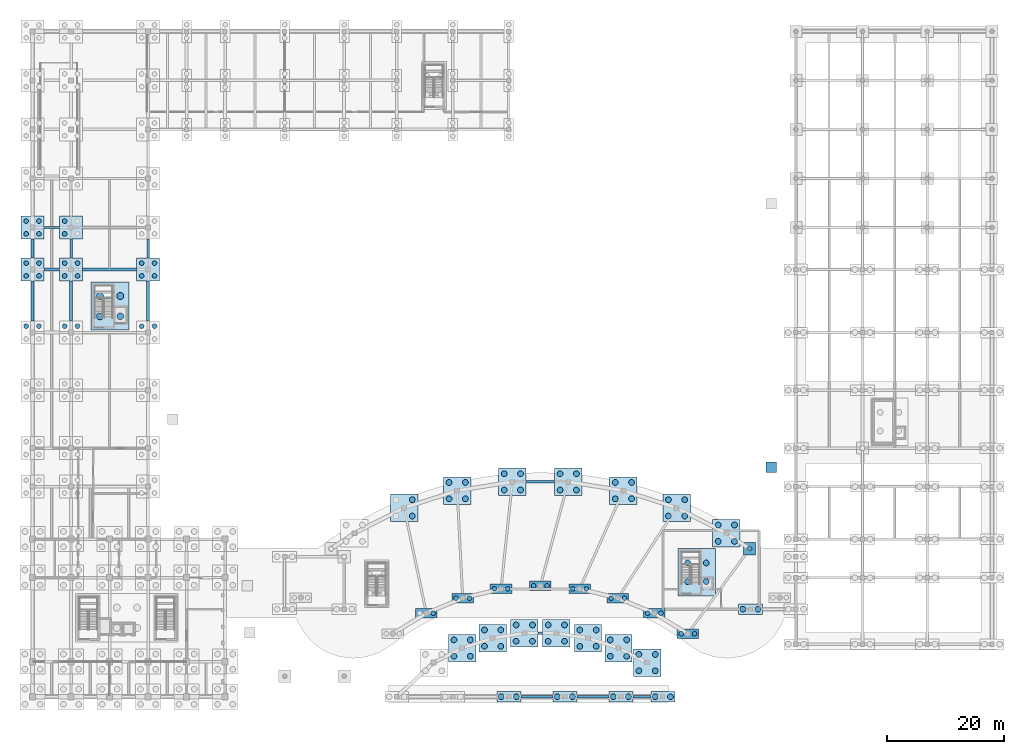
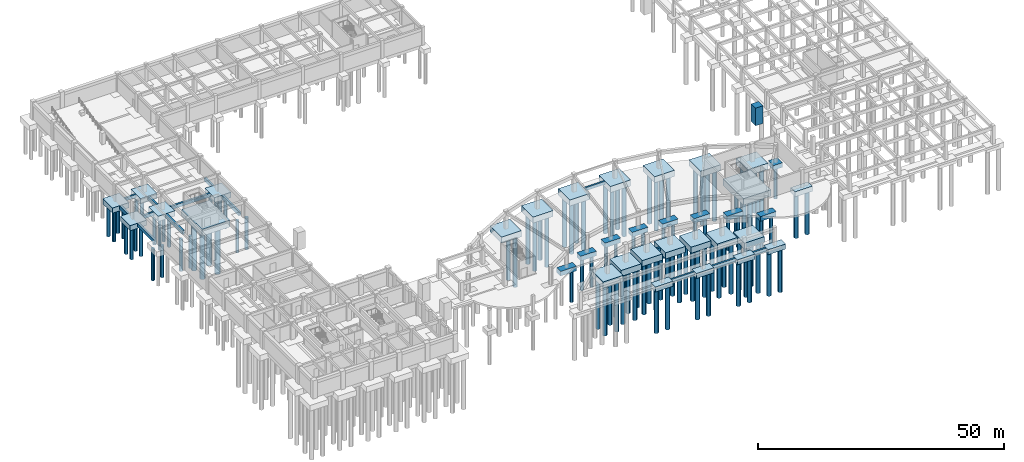
# One storey, part 3 of 28: 112 piles, 50 footings.
"""IFC4 building model written with IfcOpenShell, lengths in metres."""

import ifcopenshell
import ifcopenshell.guid

model = None  # the IFC model being written
_history = None  # IfcOwnerHistory: only IFC2X3 demands one
_inside = {}  # id of a spatial element -> (the spatial element, [elements in it])
_under = {}  # id of a project, library or spatial element -> (it, [spatial elements below it])
_declared = {}  # id of a project -> (the project, [libraries it declares])
_typed = {}  # id of a type object -> (the type object, [elements of that type])
_made_of = {}  # id of a material, layer set ... -> (it, [elements and type objects made of it])


def new_model(schema):
    """Start an empty IFC model of exactly this schema.

    Asked for "IFC4X3", IfcOpenShell would pick the latest addendum, in which some entities
    have other attributes; the version numbers below select the first issue.
    IFC2X3 requires an IfcOwnerHistory on every rooted entity: one is made here for all.
    """
    global model, _history
    if schema == "IFC4X3":
        model = ifcopenshell.file(schema_version=(4, 3, 0, 0))
    else:
        model = ifcopenshell.file(schema=schema)
    _inside.clear()
    _under.clear()
    _declared.clear()
    _typed.clear()
    _made_of.clear()
    _history = None
    if model.schema == "IFC2X3":
        org = make("IfcOrganization", Name="unknown")
        user = make(
            "IfcPersonAndOrganization",
            ThePerson=make("IfcPerson", FamilyName="unknown"),
            TheOrganization=org,
        )
        app = make(
            "IfcApplication",
            ApplicationDeveloper=org,
            Version="unknown",
            ApplicationFullName="unknown",
            ApplicationIdentifier="unknown",
        )
        _history = make(
            "IfcOwnerHistory",
            OwningUser=user,
            OwningApplication=app,
            ChangeAction="ADDED",
            CreationDate=0,
        )
    return model


def make(cls, **values):
    """One entity of the class cls with the attributes given. An attribute that is None is left unset."""
    return model.create_entity(
        cls, **{name: value for name, value in values.items() if value is not None}
    )


def rooted(cls, **values):
    """An entity with a GlobalId (a new one), such as an element, a storey or a relation."""
    return make(cls, GlobalId=ifcopenshell.guid.new(), OwnerHistory=_history, **values)


def si_unit(unit_type, name, prefix=None):
    """IfcSIUnit, for example si_unit("LENGTHUNIT", "METRE", prefix="MILLI")."""
    return make("IfcSIUnit", UnitType=unit_type, Prefix=prefix, Name=name)


def assignment(units):
    """IfcUnitAssignment: the units of a project."""
    return None if units is None else make("IfcUnitAssignment", Units=units)


def point(xyz):
    """IfcCartesianPoint."""
    return None if xyz is None else make("IfcCartesianPoint", Coordinates=xyz)


def direction(xyz):
    """IfcDirection."""
    return None if xyz is None else make("IfcDirection", DirectionRatios=xyz)


def frame(location, z_axis=None, x_axis=None):
    """IfcAxis2Placement3D, a coordinate frame: its origin and axes. An axis left out is left unset."""
    return make(
        "IfcAxis2Placement3D",
        Location=point(location),
        Axis=direction(z_axis),
        RefDirection=direction(x_axis),
    )


def frame_2d(location, x_axis=None):
    """IfcAxis2Placement2D, a coordinate frame in the plane: its origin and x axis."""
    return make(
        "IfcAxis2Placement2D", Location=point(location), RefDirection=direction(x_axis)
    )


def origin():
    """The frame at (0, 0, 0) with its axes left unset."""
    return frame((0.0, 0.0, 0.0))


def origin_2d():
    """The frame at (0, 0) in the plane with its x axis left unset."""
    return frame_2d((0.0, 0.0))


def place(relative_to, where):
    """IfcLocalPlacement: puts the frame where relative to a parent placement (None: the world)."""
    return make(
        "IfcLocalPlacement", PlacementRelTo=relative_to, RelativePlacement=where
    )


def context(
    kind, dimensions, precision=None, world=None, true_north=None, identifier=None
):
    """IfcGeometricRepresentationContext, for example the 3D "Model" context."""
    return make(
        "IfcGeometricRepresentationContext",
        ContextIdentifier=identifier,
        ContextType=kind,
        CoordinateSpaceDimension=dimensions,
        Precision=precision,
        WorldCoordinateSystem=world,
        TrueNorth=true_north,
    )


def subcontext(parent, identifier, kind, view, scale=None):
    """IfcGeometricRepresentationSubContext, for example "Body" below "Model"."""
    return make(
        "IfcGeometricRepresentationSubContext",
        ContextIdentifier=identifier,
        ContextType=kind,
        ParentContext=parent,
        TargetScale=scale,
        TargetView=view,
    )


def project(units=None, contexts=None):
    """IfcProject with its units and contexts."""
    return rooted(
        "IfcProject",
        Name="project",
        RepresentationContexts=contexts,
        UnitsInContext=assignment(units),
    )


def spatial(cls, under=None, at=None, **own):
    """A site, building, storey or space (cls), placed at a placement, below another one or the project."""
    s = rooted(cls, ObjectPlacement=at, **own)
    if under is not None:
        _under.setdefault(under.id(), (under, []))[1].append(s)
    return s


def profile(cls, at=None, kind="AREA", **sizes):
    """A parametric profile (cls). Its sizes go by their IFC names, for example OverallWidth=200.0."""
    return make(cls, ProfileType=kind, Position=at, **sizes)


def rectangle(**sizes):
    """IfcRectangleProfileDef."""
    return profile("IfcRectangleProfileDef", **sizes)


def circle(**sizes):
    """IfcCircleProfileDef."""
    return profile("IfcCircleProfileDef", **sizes)


def extrude(swept, where, along, depth):
    """IfcExtrudedAreaSolid: the profile swept, set in the frame where, extruded along a direction by depth."""
    return make(
        "IfcExtrudedAreaSolid",
        SweptArea=swept,
        Position=where,
        ExtrudedDirection=direction(along),
        Depth=depth,
    )


def shape(context_of_items, identifier, shape_type, items):
    """IfcShapeRepresentation: the items that make up one representation, for example the "Body"."""
    return make(
        "IfcShapeRepresentation",
        ContextOfItems=context_of_items,
        RepresentationIdentifier=identifier,
        RepresentationType=shape_type,
        Items=items,
    )


def material(Name=None, Category=None):
    """IfcMaterial."""
    return make("IfcMaterial", Name=Name, Category=Category)


def layer(
    of_material, thickness, ventilated=None, Name=None, Category=None, Priority=None
):
    """IfcMaterialLayer: one layer of a wall or slab, of a material (None: an air gap)."""
    return make(
        "IfcMaterialLayer",
        Material=of_material,
        LayerThickness=thickness,
        IsVentilated=ventilated,
        Name=Name,
        Category=Category,
        Priority=Priority,
    )


def layer_set(layers, Name=None):
    """IfcMaterialLayerSet."""
    return make("IfcMaterialLayerSet", MaterialLayers=layers, LayerSetName=Name)


def material_profile(
    of_material, cross_section, Name=None, Category=None, Priority=None
):
    """IfcMaterialProfile: a cross section and its material."""
    return make(
        "IfcMaterialProfile",
        Name=Name,
        Material=of_material,
        Profile=cross_section,
        Priority=Priority,
        Category=Category,
    )


def profile_set(profiles, Name=None, composite=None):
    """IfcMaterialProfileSet."""
    return make(
        "IfcMaterialProfileSet",
        Name=Name,
        MaterialProfiles=profiles,
        CompositeProfile=composite,
    )


def made_of(thing, what):
    """Note that an element or type object is made of a material, layer set ...; save() writes the relation."""
    if what is not None:
        _made_of.setdefault(what.id(), (what, []))[1].append(thing)
    return thing


def type_object(cls, material=None, **own):
    """A type object (cls), such as IfcWallType, which elements share."""
    return made_of(rooted(cls, **own), material)


def element(
    cls,
    number,
    at=None,
    inside=None,
    cuts=None,
    type_object=None,
    material=None,
    context=None,
    identifier="Body",
    shape_type=None,
    held_by="IfcProductDefinitionShape",
    body=None,
    shapes=None,
    **own,
):
    """One element of the class cls, such as IfcWall. Its Tag is "e" and its number.

    at: its placement. inside: the storey or other place that contains it. cuts: it is an
    opening in that element (IfcRelVoidsElement). A single representation is given by context,
    identifier, shape_type and body (its items); several are given by shapes. held_by: the class
    of the entity that holds the representations. save() writes the other relations.
    """
    e = rooted(cls, Tag="e%d" % number, ObjectPlacement=at, **own)
    if body is not None:
        shapes = [shape(context, identifier, shape_type, body)]
    if shapes is not None:
        e.Representation = make(held_by, Representations=shapes)
    if inside is not None:
        _inside.setdefault(inside.id(), (inside, []))[1].append(e)
    if cuts is not None:
        rooted(
            "IfcRelVoidsElement", RelatingBuildingElement=cuts, RelatedOpeningElement=e
        )
    if type_object is not None:
        _typed.setdefault(type_object.id(), (type_object, []))[1].append(e)
    return made_of(e, material)


def aggregate(whole, parts):
    """IfcRelAggregates: a whole, such as a stair, and the parts it consists of."""
    return rooted("IfcRelAggregates", RelatingObject=whole, RelatedObjects=parts)


def save(model, path):
    """Write the relations noted so far, then the file.

    IfcRelAggregates (storeys below a building ...), IfcRelContainedInSpatialStructure (elements
    in a storey), IfcRelDefinesByType, IfcRelAssociatesMaterial and IfcRelDeclares: one each for
    every whole, place, type object, material and project.
    """
    for whole, parts in _under.values():
        aggregate(whole, parts)
    for where, things in _inside.values():
        rooted(
            "IfcRelContainedInSpatialStructure",
            RelatedElements=things,
            RelatingStructure=where,
        )
    for kind, things in _typed.values():
        rooted("IfcRelDefinesByType", RelatedObjects=things, RelatingType=kind)
    for what, things in _made_of.values():
        rooted("IfcRelAssociatesMaterial", RelatedObjects=things, RelatingMaterial=what)
    for by, libraries in _declared.values():
        rooted("IfcRelDeclares", RelatingContext=by, RelatedDefinitions=libraries)
    model.write(path)


model = new_model("IFC4")

# Units and contexts
model_context = context("Model", 3, precision=1e-05, world=origin(), true_north=direction((0.0, 1.0)))
body_context = subcontext(model_context, "Body", "Model", "MODEL_VIEW")
ifc_project = project(units=[si_unit("LENGTHUNIT", "METRE"), si_unit("AREAUNIT", "SQUARE_METRE"), si_unit("VOLUMEUNIT", "CUBIC_METRE"), si_unit("PLANEANGLEUNIT", "RADIAN"), si_unit("MASSUNIT", "GRAM", prefix="KILO")], contexts=[model_context])

# Site, building, storey
site_placement = place(None, origin())
site = spatial("IfcSite", under=ifc_project, at=site_placement, CompositionType="ELEMENT")
building_placement = place(site_placement, origin())
building = spatial("IfcBuilding", under=site, at=building_placement, Name="Miralva Faculty of Natural Sciences", CompositionType="ELEMENT")
storey_placement = place(building_placement, frame((0.0, 0.0, -4.5)))
storey = spatial("IfcBuildingStorey", under=building, at=storey_placement, Name="B1", CompositionType="ELEMENT", Elevation=-4.5)

# Footings
ifc_material_1 = material(Name="Concrete C35/45", Category="concrete")
ifc_layer_1 = layer(ifc_material_1, 1.10009765625, Name="CAP-PC01")
ifc_layer_set_1 = layer_set([ifc_layer_1], Name="Concrete C35/45")
footing_type_1 = type_object("IfcFootingType", Name="CAP-PC01", PredefinedType="PILE_CAP", material=ifc_layer_set_1)
footing_1_placement = place(storey_placement, frame((125.85498046875, 28.35009765625, -1.10009765625), z_axis=(0.0, 0.0, 1.0), x_axis=(1.0, 0.0, 0.0)))
element("IfcFooting", 1, at=footing_1_placement, inside=storey, type_object=footing_type_1, Name="Pile cap CS-ARC-OUT09", PredefinedType="PILE_CAP", context=body_context, shape_type="SweptSolid", body=[
    extrude(rectangle(XDim=2.10009765625, YDim=2.10009765625, at=origin_2d()), origin(), (0.0, 0.0, 1.0), 1.10009765625),
])
ifc_layer_2 = layer(ifc_material_1, 1.14990234375, Name="CAP-PC02")
ifc_layer_set_2 = layer_set([ifc_layer_2], Name="Concrete C35/45")
footing_type_2 = type_object("IfcFootingType", Name="CAP-PC02", PredefinedType="PILE_CAP", material=ifc_layer_set_2)
for number, where, z_axis, x_axis, name in (
    (2, (70.478515625, 17.313232421875, -1.14990234375), (0.0, 0.0, 1.0), (1.0, 0.0, 0.0), "Pile cap CS-ARC-IN02"),
    (3, (76.71240234375, 19.8955078125, -1.14990234375), (0.0, 0.0, 1.0), (1.0, 0.0, 0.0), "Pile cap CS-ARC-IN03"),
    (4, (83.273193359375, 21.470703125, -1.14990234375), (0.0, 0.0, 1.0), (1.0, 0.0, 0.0), "Pile cap CS-ARC-IN04"),
    (5, (90.0, 22.0, -1.14990234375), (0.0, 0.0, 1.0), (1.0, 0.0, 0.0), "Pile cap CS-ARC-IN05"),
    (6, (96.726806640625, 21.470703125, -1.14990234375), (0.0, 0.0, 1.0), (1.0, 0.0, 0.0), "Pile cap CS-ARC-IN06"),
    (7, (103.28759765625, 19.8955078125, -1.14990234375), (0.0, 0.0, 1.0), (1.0, 0.0, 0.0), "Pile cap CS-ARC-IN07"),
    (8, (109.521484375, 17.313232421875, -1.14990234375), (0.0, 0.0, 1.0), (1.0, 0.0, 0.0), "Pile cap CS-ARC-IN08"),
    (9, (115.27490234375, 13.78759765625, -1.14990234375), (0.0, 0.0, 1.0), (1.0, 0.0, 0.0), "Pile cap CS-ARC-IN09"),
):
    element("IfcFooting", number, at=place(storey_placement, frame(where, z_axis=z_axis, x_axis=x_axis)), inside=storey, type_object=footing_type_2, Name=name, PredefinedType="PILE_CAP", context=body_context, shape_type="SweptSolid", body=[
        extrude(rectangle(XDim=3.699951171875, YDim=1.60009765625, at=origin_2d()), origin(), (0.0, 0.0, 1.0), 1.14990234375),
    ])
ifc_layer_3 = layer(ifc_material_1, 1.25, Name="CAP-PC04")
ifc_layer_set_3 = layer_set([ifc_layer_3], Name="Concrete C35/45")
footing_type_3 = type_object("IfcFootingType", Name="CAP-PC04", PredefinedType="PILE_CAP", material=ifc_layer_set_3)
for number, where, z_axis, x_axis, name in (
    (10, (84.60009765625, 3.0, -1.25), (0.0, 0.0, 1.0), (1.0, 0.0, 0.0), "Pile cap CS-V1-S11"),
    (11, (94.199951171875, 3.0, -1.25), (0.0, 0.0, 1.0), (1.0, 0.0, 0.0), "Pile cap CS-V1-S12"),
    (12, (103.800048828125, 3.0, -1.25), (0.0, 0.0, 1.0), (1.0, 0.0, 0.0), "Pile cap CS-V1-S13"),
    (13, (111.0, 3.0, -1.25), (0.0, 0.0, 1.0), (1.0, 0.0, 0.0), "Pile cap CS-V1-S14"),
    (14, (126.0, 18.0, -1.25), (0.0, 0.0, 1.0), (1.0, 0.0, 0.0), "Pile cap CS-LNK-EL1S"),
):
    element("IfcFooting", number, at=place(storey_placement, frame(where, z_axis=z_axis, x_axis=x_axis)), inside=storey, type_object=footing_type_3, Name=name, PredefinedType="PILE_CAP", context=body_context, shape_type="SweptSolid", body=[
        extrude(rectangle(XDim=4.10009765625, YDim=1.800048828125, at=origin_2d()), origin(), (0.0, 0.0, 1.0), 1.25),
    ])
ifc_layer_4 = layer(ifc_material_1, 1.300048828125, Name="CAP-PC05")
ifc_layer_set_4 = layer_set([ifc_layer_4], Name="Concrete C35/45")
footing_type_4 = type_object("IfcFootingType", Name="CAP-PC05", PredefinedType="PILE_CAP", material=ifc_layer_set_4)
for number, where, z_axis, x_axis, name in (
    (15, (3.0, 76.199951171875, -1.2998046875), (0.0, 0.0, 1.0), (1.0, 0.0, 0.0), "Pile cap CS-V4W-1I"),
    (16, (3.0, 83.39990234375, -1.2998046875), (0.0, 0.0, 1.0), (1.0, 0.0, 0.0), "Pile cap CS-V4W-1J"),
    (17, (9.60009765625, 76.199951171875, -1.2998046875), (0.0, 0.0, 1.0), (1.0, 0.0, 0.0), "Pile cap CS-V4W-2I"),
    (18, (9.60009765625, 83.39990234375, -1.2998046875), (0.0, 0.0, 1.0), (1.0, 0.0, 0.0), "Pile cap CS-V4W-2J"),
    (19, (22.800048828125, 76.199951171875, -1.2998046875), (0.0, 0.0, 1.0), (1.0, 0.0, 0.0), "Pile cap CS-V4W-4I"),
):
    element("IfcFooting", number, at=place(storey_placement, frame(where, z_axis=z_axis, x_axis=x_axis)), inside=storey, type_object=footing_type_4, Name=name, PredefinedType="PILE_CAP", context=body_context, shape_type="SweptSolid", body=[
        extrude(rectangle(XDim=3.89990234375, YDim=3.89990234375, at=origin_2d()), origin(), (0.0, 0.0, 1.0), 1.300048828125),
    ])
ifc_material_2 = material(Name="Concrete C40/50", Category="concrete")
ifc_layer_5 = layer(ifc_material_2, 1.5, Name="CAP-PC07")
ifc_layer_set_5 = layer_set([ifc_layer_5], Name="Concrete C40/50")
footing_type_5 = type_object("IfcFootingType", Name="CAP-PC07", PredefinedType="PILE_CAP", material=ifc_layer_set_5)
for number, where, z_axis, x_axis, name in (
    (20, (76.606201171875, 11.335693359375, -1.5), (0.0, 0.0, 1.0), (1.0, 0.0, 0.0), "Pile cap CS-SH-IN02"),
    (21, (66.65625, 35.356689453125, -1.5), (0.0, 0.0, 1.0), (1.0, 0.0, 0.0), "Pile cap CS-SH-OUT02"),
    (22, (81.829345703125, 13.032958984375, -1.5), (0.0, 0.0, 1.0), (1.0, 0.0, 0.0), "Pile cap CS-SH-IN03"),
    (23, (75.759765625, 38.314697265625, -1.5), (0.0, 0.0, 1.0), (1.0, 0.0, 0.0), "Pile cap CS-SH-OUT03"),
    (24, (87.25390625, 13.89208984375, -1.5), (0.0, 0.0, 1.0), (1.0, 0.0, 0.0), "Pile cap CS-SH-IN04"),
    (25, (85.214111328125, 39.81201171875, -1.5), (0.0, 0.0, 1.0), (1.0, 0.0, 0.0), "Pile cap CS-SH-OUT04"),
    (26, (92.74609375, 13.89208984375, -1.5), (0.0, 0.0, 1.0), (1.0, 0.0, 0.0), "Pile cap CS-SH-IN05"),
    (27, (94.785888671875, 39.81201171875, -1.5), (0.0, 0.0, 1.0), (1.0, 0.0, 0.0), "Pile cap CS-SH-OUT05"),
    (28, (98.170654296875, 13.032958984375, -1.5), (0.0, 0.0, 1.0), (1.0, 0.0, 0.0), "Pile cap CS-SH-IN06"),
    (29, (104.240234375, 38.314697265625, -1.5), (0.0, 0.0, 1.0), (1.0, 0.0, 0.0), "Pile cap CS-SH-OUT06"),
    (30, (103.393798828125, 11.335693359375, -1.5), (0.0, 0.0, 1.0), (1.0, 0.0, 0.0), "Pile cap CS-SH-IN07"),
    (31, (113.34375, 35.356689453125, -1.5), (0.0, 0.0, 1.0), (1.0, 0.0, 0.0), "Pile cap CS-SH-OUT07"),
    (32, (108.287353515625, 8.84228515625, -1.5), (0.0, 0.0, 1.0), (1.0, 0.0, 0.0), "Pile cap CS-SH-IN08"),
    (33, (121.872314453125, 31.010986328125, -1.5), (0.0, 0.0, 1.0), (1.0, 0.0, 0.0), "Pile cap CS-SH-OUT08"),
):
    element("IfcFooting", number, at=place(storey_placement, frame(where, z_axis=z_axis, x_axis=x_axis)), inside=storey, type_object=footing_type_5, Name=name, PredefinedType="PILE_CAP", context=body_context, shape_type="SweptSolid", body=[
        extrude(rectangle(XDim=4.699951171875, YDim=4.699951171875, at=origin_2d()), origin(), (0.0, 0.0, 1.0), 1.5),
    ])
ifc_layer_6 = layer(ifc_material_2, 1.699951171875, Name="CAP-PC11-C2")
ifc_layer_set_6 = layer_set([ifc_layer_6], Name="Concrete C40/50")
footing_type_6 = type_object("IfcFootingType", Name="CAP-PC11-C2", PredefinedType="PILE_CAP", material=ifc_layer_set_6)
footing_2_placement = place(storey_placement, frame((16.28759765625, 69.925048828125, -1.7001953125), z_axis=(0.0, 0.0, 1.0), x_axis=(1.0, 0.0, 0.0)))
element("IfcFooting", 34, at=footing_2_placement, inside=storey, type_object=footing_type_6, Name="Core C2 pile cap", PredefinedType="PILE_CAP", context=body_context, shape_type="SweptSolid", body=[
    extrude(rectangle(XDim=6.52490234375, YDim=8.199951171875, at=origin_2d()), origin(), (0.0, 0.0, 1.0), 1.699951171875),
])
ifc_layer_7 = layer(ifc_material_2, 1.60009765625, Name="CAP-PC12-C3")
ifc_layer_set_7 = layer_set([ifc_layer_7], Name="Concrete C40/50")
footing_type_7 = type_object("IfcFootingType", Name="CAP-PC12-C3", PredefinedType="PILE_CAP", material=ifc_layer_set_7)
footing_3_placement = place(storey_placement, frame((116.83740234375, 24.324951171875, -1.60009765625), z_axis=(0.0, 0.0, 1.0), x_axis=(1.0, 0.0, 0.0)))
element("IfcFooting", 35, at=footing_3_placement, inside=storey, type_object=footing_type_7, Name="Core C3 pile cap", PredefinedType="PILE_CAP", context=body_context, shape_type="SweptSolid", body=[
    extrude(rectangle(XDim=6.425048828125, YDim=8.199951171875, at=origin_2d()), origin(), (0.0, 0.0, 1.0), 1.60009765625),
])
ifc_layer_8 = layer(ifc_material_1, 0.75, Name="PAD-PF01")
ifc_layer_set_8 = layer_set([ifc_layer_8], Name="Concrete C35/45")
footing_type_8 = type_object("IfcFootingType", Name="PAD-PF01", PredefinedType="PAD_FOOTING", material=ifc_layer_set_8)
footing_4_placement = place(storey_placement, frame((129.60009765625, 42.300048828125, -0.0302734375), z_axis=(0.0, 0.0, 1.0), x_axis=(1.0, 0.0, 0.0)))
element("IfcFooting", 36, at=footing_4_placement, inside=storey, type_object=footing_type_8, Name="Pedestrian ramp RMP-PED-04 abutment pier", PredefinedType="PAD_FOOTING", context=body_context, shape_type="SweptSolid", body=[
    extrude(rectangle(XDim=1.800048828125, YDim=1.800048828125, at=origin_2d()), origin(), (0.0, 0.0, 1.0), 4.360107421875),
])

# Piles
ifc_material_profile_1 = material_profile(ifc_material_1, circle(Radius=0.5, at=origin_2d()), Name="BORED PILE 1000")
ifc_profile_set_1 = profile_set([ifc_material_profile_1], Name="Concrete C35/45")
pile_type_1 = type_object("IfcPileType", Name="PILE-P1000", PredefinedType="BORED", material=ifc_profile_set_1)
for number, where, z_axis, x_axis, name in (
    (37, (115.237548828125, 22.72509765625, -1.449951171875), (0.0, 0.0, -1.0), (1.0, 0.0, 0.0), "Core C3 bored pile 1"),
    (38, (118.4375, 22.72509765625, -1.449951171875), (0.0, 0.0, -1.0), (1.0, 0.0, 0.0), "Core C3 bored pile 2"),
    (39, (115.237548828125, 25.925048828125, -1.449951171875), (0.0, 0.0, -1.0), (1.0, 0.0, 0.0), "Core C3 bored pile 3"),
    (40, (118.4375, 25.925048828125, -1.449951171875), (0.0, 0.0, -1.0), (1.0, 0.0, 0.0), "Core C3 bored pile 4"),
):
    element("IfcPile", number, at=place(storey_placement, frame(where, z_axis=z_axis, x_axis=x_axis)), inside=storey, type_object=pile_type_1, Name=name, PredefinedType="BORED", context=body_context, shape_type="SweptSolid", body=[
        extrude(circle(Radius=0.5, at=origin_2d()), origin(), (0.0, 0.0, 1.0), 12.550048828125),
    ])
for number, where, z_axis, x_axis, name in (
    (41, (75.2060546875, 9.935791015625, -1.35009765625), (0.0, 0.0, -1.0), (1.0, 0.0, 0.0), "Bored pile CS-SH-IN02-1"),
    (42, (78.006103515625, 9.935791015625, -1.35009765625), (0.0, 0.0, -1.0), (1.0, 0.0, 0.0), "Bored pile CS-SH-IN02-2"),
    (43, (75.2060546875, 12.73583984375, -1.35009765625), (0.0, 0.0, -1.0), (1.0, 0.0, 0.0), "Bored pile CS-SH-IN02-3"),
    (44, (78.006103515625, 12.73583984375, -1.35009765625), (0.0, 0.0, -1.0), (1.0, 0.0, 0.0), "Bored pile CS-SH-IN02-4"),
    (45, (68.056396484375, 33.956787109375, -1.35009765625), (0.0, 0.0, -1.0), (1.0, 0.0, 0.0), "Bored pile CS-SH-OUT02-2"),
    (46, (68.056396484375, 36.756591796875, -1.35009765625), (0.0, 0.0, -1.0), (1.0, 0.0, 0.0), "Bored pile CS-SH-OUT02-4"),
    (47, (80.429443359375, 11.6328125, -1.35009765625), (0.0, 0.0, -1.0), (1.0, 0.0, 0.0), "Bored pile CS-SH-IN03-1"),
    (48, (83.2294921875, 11.6328125, -1.35009765625), (0.0, 0.0, -1.0), (1.0, 0.0, 0.0), "Bored pile CS-SH-IN03-2"),
    (49, (80.429443359375, 14.432861328125, -1.35009765625), (0.0, 0.0, -1.0), (1.0, 0.0, 0.0), "Bored pile CS-SH-IN03-3"),
    (50, (83.2294921875, 14.432861328125, -1.35009765625), (0.0, 0.0, -1.0), (1.0, 0.0, 0.0), "Bored pile CS-SH-IN03-4"),
    (51, (74.35986328125, 36.91455078125, -1.35009765625), (0.0, 0.0, -1.0), (1.0, 0.0, 0.0), "Bored pile CS-SH-OUT03-1"),
    (52, (77.159912109375, 36.91455078125, -1.35009765625), (0.0, 0.0, -1.0), (1.0, 0.0, 0.0), "Bored pile CS-SH-OUT03-2"),
    (53, (74.35986328125, 39.714599609375, -1.35009765625), (0.0, 0.0, -1.0), (1.0, 0.0, 0.0), "Bored pile CS-SH-OUT03-3"),
    (54, (77.159912109375, 39.714599609375, -1.35009765625), (0.0, 0.0, -1.0), (1.0, 0.0, 0.0), "Bored pile CS-SH-OUT03-4"),
    (55, (85.85400390625, 12.4921875, -1.35009765625), (0.0, 0.0, -1.0), (1.0, 0.0, 0.0), "Bored pile CS-SH-IN04-1"),
    (56, (88.65380859375, 12.4921875, -1.35009765625), (0.0, 0.0, -1.0), (1.0, 0.0, 0.0), "Bored pile CS-SH-IN04-2"),
    (57, (85.85400390625, 15.2919921875, -1.35009765625), (0.0, 0.0, -1.0), (1.0, 0.0, 0.0), "Bored pile CS-SH-IN04-3"),
    (58, (88.65380859375, 15.2919921875, -1.35009765625), (0.0, 0.0, -1.0), (1.0, 0.0, 0.0), "Bored pile CS-SH-IN04-4"),
    (59, (83.81396484375, 38.412109375, -1.35009765625), (0.0, 0.0, -1.0), (1.0, 0.0, 0.0), "Bored pile CS-SH-OUT04-1"),
    (60, (86.614013671875, 38.412109375, -1.35009765625), (0.0, 0.0, -1.0), (1.0, 0.0, 0.0), "Bored pile CS-SH-OUT04-2"),
    (61, (83.81396484375, 41.2119140625, -1.35009765625), (0.0, 0.0, -1.0), (1.0, 0.0, 0.0), "Bored pile CS-SH-OUT04-3"),
    (62, (86.614013671875, 41.2119140625, -1.35009765625), (0.0, 0.0, -1.0), (1.0, 0.0, 0.0), "Bored pile CS-SH-OUT04-4"),
    (63, (91.34619140625, 12.4921875, -1.35009765625), (0.0, 0.0, -1.0), (1.0, 0.0, 0.0), "Bored pile CS-SH-IN05-1"),
    (64, (94.14599609375, 12.4921875, -1.35009765625), (0.0, 0.0, -1.0), (1.0, 0.0, 0.0), "Bored pile CS-SH-IN05-2"),
    (65, (91.34619140625, 15.2919921875, -1.35009765625), (0.0, 0.0, -1.0), (1.0, 0.0, 0.0), "Bored pile CS-SH-IN05-3"),
    (66, (94.14599609375, 15.2919921875, -1.35009765625), (0.0, 0.0, -1.0), (1.0, 0.0, 0.0), "Bored pile CS-SH-IN05-4"),
    (67, (93.385986328125, 38.412109375, -1.35009765625), (0.0, 0.0, -1.0), (1.0, 0.0, 0.0), "Bored pile CS-SH-OUT05-1"),
    (68, (96.18603515625, 38.412109375, -1.35009765625), (0.0, 0.0, -1.0), (1.0, 0.0, 0.0), "Bored pile CS-SH-OUT05-2"),
    (69, (93.385986328125, 41.2119140625, -1.35009765625), (0.0, 0.0, -1.0), (1.0, 0.0, 0.0), "Bored pile CS-SH-OUT05-3"),
    (70, (96.18603515625, 41.2119140625, -1.35009765625), (0.0, 0.0, -1.0), (1.0, 0.0, 0.0), "Bored pile CS-SH-OUT05-4"),
    (71, (96.7705078125, 11.6328125, -1.35009765625), (0.0, 0.0, -1.0), (1.0, 0.0, 0.0), "Bored pile CS-SH-IN06-1"),
    (72, (99.570556640625, 11.6328125, -1.35009765625), (0.0, 0.0, -1.0), (1.0, 0.0, 0.0), "Bored pile CS-SH-IN06-2"),
    (73, (96.7705078125, 14.432861328125, -1.35009765625), (0.0, 0.0, -1.0), (1.0, 0.0, 0.0), "Bored pile CS-SH-IN06-3"),
    (74, (99.570556640625, 14.432861328125, -1.35009765625), (0.0, 0.0, -1.0), (1.0, 0.0, 0.0), "Bored pile CS-SH-IN06-4"),
    (75, (102.840087890625, 36.91455078125, -1.35009765625), (0.0, 0.0, -1.0), (1.0, 0.0, 0.0), "Bored pile CS-SH-OUT06-1"),
    (76, (105.64013671875, 36.91455078125, -1.35009765625), (0.0, 0.0, -1.0), (1.0, 0.0, 0.0), "Bored pile CS-SH-OUT06-2"),
    (77, (102.840087890625, 39.714599609375, -1.35009765625), (0.0, 0.0, -1.0), (1.0, 0.0, 0.0), "Bored pile CS-SH-OUT06-3"),
    (78, (105.64013671875, 39.714599609375, -1.35009765625), (0.0, 0.0, -1.0), (1.0, 0.0, 0.0), "Bored pile CS-SH-OUT06-4"),
    (79, (101.993896484375, 9.935791015625, -1.35009765625), (0.0, 0.0, -1.0), (1.0, 0.0, 0.0), "Bored pile CS-SH-IN07-1"),
    (80, (104.7939453125, 9.935791015625, -1.35009765625), (0.0, 0.0, -1.0), (1.0, 0.0, 0.0), "Bored pile CS-SH-IN07-2"),
    (81, (101.993896484375, 12.73583984375, -1.35009765625), (0.0, 0.0, -1.0), (1.0, 0.0, 0.0), "Bored pile CS-SH-IN07-3"),
    (82, (104.7939453125, 12.73583984375, -1.35009765625), (0.0, 0.0, -1.0), (1.0, 0.0, 0.0), "Bored pile CS-SH-IN07-4"),
    (83, (111.943603515625, 33.956787109375, -1.35009765625), (0.0, 0.0, -1.0), (1.0, 0.0, 0.0), "Bored pile CS-SH-OUT07-1"),
    (84, (114.74365234375, 33.956787109375, -1.35009765625), (0.0, 0.0, -1.0), (1.0, 0.0, 0.0), "Bored pile CS-SH-OUT07-2"),
    (85, (111.943603515625, 36.756591796875, -1.35009765625), (0.0, 0.0, -1.0), (1.0, 0.0, 0.0), "Bored pile CS-SH-OUT07-3"),
    (86, (114.74365234375, 36.756591796875, -1.35009765625), (0.0, 0.0, -1.0), (1.0, 0.0, 0.0), "Bored pile CS-SH-OUT07-4"),
    (87, (106.887451171875, 7.4423828125, -1.35009765625), (0.0, 0.0, -1.0), (1.0, 0.0, 0.0), "Bored pile CS-SH-IN08-1"),
    (88, (109.6875, 7.4423828125, -1.35009765625), (0.0, 0.0, -1.0), (1.0, 0.0, 0.0), "Bored pile CS-SH-IN08-2"),
    (89, (106.887451171875, 10.242431640625, -1.35009765625), (0.0, 0.0, -1.0), (1.0, 0.0, 0.0), "Bored pile CS-SH-IN08-3"),
    (90, (109.6875, 10.242431640625, -1.35009765625), (0.0, 0.0, -1.0), (1.0, 0.0, 0.0), "Bored pile CS-SH-IN08-4"),
    (91, (120.472412109375, 29.611083984375, -1.35009765625), (0.0, 0.0, -1.0), (1.0, 0.0, 0.0), "Bored pile CS-SH-OUT08-1"),
    (92, (123.2724609375, 29.611083984375, -1.35009765625), (0.0, 0.0, -1.0), (1.0, 0.0, 0.0), "Bored pile CS-SH-OUT08-2"),
    (93, (120.472412109375, 32.4111328125, -1.35009765625), (0.0, 0.0, -1.0), (1.0, 0.0, 0.0), "Bored pile CS-SH-OUT08-3"),
    (94, (123.2724609375, 32.4111328125, -1.35009765625), (0.0, 0.0, -1.0), (1.0, 0.0, 0.0), "Bored pile CS-SH-OUT08-4"),
):
    element("IfcPile", number, at=place(storey_placement, frame(where, z_axis=z_axis, x_axis=x_axis)), inside=storey, type_object=pile_type_1, Name=name, PredefinedType="BORED", context=body_context, shape_type="SweptSolid", body=[
        extrude(circle(Radius=0.5, at=origin_2d()), origin(), (0.0, 0.0, 1.0), 12.64990234375),
    ])
for number, where, z_axis, x_axis, name in (
    (95, (83.300048828125, 3.0, -1.10009765625), (0.0, 0.0, -1.0), (1.0, 0.0, 0.0), "Bored pile CS-V1-S11-1"),
    (96, (85.89990234375, 3.0, -1.10009765625), (0.0, 0.0, -1.0), (1.0, 0.0, 0.0), "Bored pile CS-V1-S11-2"),
    (97, (92.89990234375, 3.0, -1.10009765625), (0.0, 0.0, -1.0), (1.0, 0.0, 0.0), "Bored pile CS-V1-S12-1"),
    (98, (95.5, 3.0, -1.10009765625), (0.0, 0.0, -1.0), (1.0, 0.0, 0.0), "Bored pile CS-V1-S12-2"),
    (99, (102.5, 3.0, -1.10009765625), (0.0, 0.0, -1.0), (1.0, 0.0, 0.0), "Bored pile CS-V1-S13-1"),
    (100, (105.10009765625, 3.0, -1.10009765625), (0.0, 0.0, -1.0), (1.0, 0.0, 0.0), "Bored pile CS-V1-S13-2"),
    (101, (109.699951171875, 3.0, -1.10009765625), (0.0, 0.0, -1.0), (1.0, 0.0, 0.0), "Bored pile CS-V1-S14-1"),
    (102, (112.300048828125, 3.0, -1.10009765625), (0.0, 0.0, -1.0), (1.0, 0.0, 0.0), "Bored pile CS-V1-S14-2"),
    (103, (124.699951171875, 18.0, -1.10009765625), (0.0, 0.0, -1.0), (1.0, 0.0, 0.0), "Bored pile CS-LNK-EL1S-1"),
    (104, (127.300048828125, 18.0, -1.10009765625), (0.0, 0.0, -1.0), (1.0, 0.0, 0.0), "Bored pile CS-LNK-EL1S-2"),
):
    element("IfcPile", number, at=place(storey_placement, frame(where, z_axis=z_axis, x_axis=x_axis)), inside=storey, type_object=pile_type_1, Name=name, PredefinedType="BORED", context=body_context, shape_type="SweptSolid", body=[
        extrude(circle(Radius=0.5, at=origin_2d()), origin(), (0.0, 0.0, 1.0), 10.89990234375),
    ])
ifc_material_profile_2 = material_profile(ifc_material_2, circle(Radius=0.60009765625, at=origin_2d()), Name="BORED PILE 1200")
ifc_profile_set_2 = profile_set([ifc_material_profile_2], Name="Concrete C40/50")
pile_type_2 = type_object("IfcPileType", Name="PILE-P1200", PredefinedType="BORED", material=ifc_profile_set_2)
for number, where, z_axis, x_axis, name in (
    (105, (14.547607421875, 68.18505859375, -1.550048828125), (0.0, 0.0, -1.0), (1.0, 0.0, 0.0), "Core C2 bored pile 1"),
    (106, (18.027587890625, 68.18505859375, -1.550048828125), (0.0, 0.0, -1.0), (1.0, 0.0, 0.0), "Core C2 bored pile 2"),
    (107, (14.547607421875, 71.6650390625, -1.550048828125), (0.0, 0.0, -1.0), (1.0, 0.0, 0.0), "Core C2 bored pile 3"),
    (108, (18.027587890625, 71.6650390625, -1.550048828125), (0.0, 0.0, -1.0), (1.0, 0.0, 0.0), "Core C2 bored pile 4"),
):
    element("IfcPile", number, at=place(storey_placement, frame(where, z_axis=z_axis, x_axis=x_axis)), inside=storey, type_object=pile_type_2, Name=name, PredefinedType="BORED", context=body_context, shape_type="SweptSolid", body=[
        extrude(circle(Radius=0.60009765625, at=origin_2d()), origin(), (0.0, 0.0, 1.0), 12.449951171875),
    ])
ifc_material_profile_3 = material_profile(ifc_material_1, circle(Radius=0.39990234375, at=origin_2d()), Name="BORED PILE 800")
ifc_profile_set_3 = profile_set([ifc_material_profile_3], Name="Concrete C35/45")
pile_type_3 = type_object("IfcPileType", Name="PILE-P800", PredefinedType="BORED", material=ifc_profile_set_3)
for number, where, z_axis, x_axis, name in (
    (109, (1.89990234375, 66.5, -1.14990234375), (0.0, 0.0, -1.0), (1.0, 0.0, 0.0), "Bored pile CS-V4W-1H-3"),
    (110, (4.10009765625, 66.5, -1.14990234375), (0.0, 0.0, -1.0), (1.0, 0.0, 0.0), "Bored pile CS-V4W-1H-4"),
    (111, (1.89990234375, 75.10009765625, -1.14990234375), (0.0, 0.0, -1.0), (1.0, 0.0, 0.0), "Bored pile CS-V4W-1I-1"),
    (112, (4.10009765625, 75.10009765625, -1.14990234375), (0.0, 0.0, -1.0), (1.0, 0.0, 0.0), "Bored pile CS-V4W-1I-2"),
    (113, (1.89990234375, 77.300048828125, -1.14990234375), (0.0, 0.0, -1.0), (1.0, 0.0, 0.0), "Bored pile CS-V4W-1I-3"),
    (114, (4.10009765625, 77.300048828125, -1.14990234375), (0.0, 0.0, -1.0), (1.0, 0.0, 0.0), "Bored pile CS-V4W-1I-4"),
    (115, (1.89990234375, 82.300048828125, -1.14990234375), (0.0, 0.0, -1.0), (1.0, 0.0, 0.0), "Bored pile CS-V4W-1J-1"),
    (116, (4.10009765625, 82.300048828125, -1.14990234375), (0.0, 0.0, -1.0), (1.0, 0.0, 0.0), "Bored pile CS-V4W-1J-2"),
    (117, (1.89990234375, 84.5, -1.14990234375), (0.0, 0.0, -1.0), (1.0, 0.0, 0.0), "Bored pile CS-V4W-1J-3"),
    (118, (4.10009765625, 84.5, -1.14990234375), (0.0, 0.0, -1.0), (1.0, 0.0, 0.0), "Bored pile CS-V4W-1J-4"),
    (119, (8.5, 66.5, -1.14990234375), (0.0, 0.0, -1.0), (1.0, 0.0, 0.0), "Bored pile CS-V4W-2H-3"),
    (120, (10.699951171875, 66.5, -1.14990234375), (0.0, 0.0, -1.0), (1.0, 0.0, 0.0), "Bored pile CS-V4W-2H-4"),
    (121, (8.5, 75.10009765625, -1.14990234375), (0.0, 0.0, -1.0), (1.0, 0.0, 0.0), "Bored pile CS-V4W-2I-1"),
    (122, (10.699951171875, 75.10009765625, -1.14990234375), (0.0, 0.0, -1.0), (1.0, 0.0, 0.0), "Bored pile CS-V4W-2I-2"),
    (123, (8.5, 77.300048828125, -1.14990234375), (0.0, 0.0, -1.0), (1.0, 0.0, 0.0), "Bored pile CS-V4W-2I-3"),
    (124, (10.699951171875, 77.300048828125, -1.14990234375), (0.0, 0.0, -1.0), (1.0, 0.0, 0.0), "Bored pile CS-V4W-2I-4"),
    (125, (8.5, 82.300048828125, -1.14990234375), (0.0, 0.0, -1.0), (1.0, 0.0, 0.0), "Bored pile CS-V4W-2J-1"),
    (126, (8.5, 84.5, -1.14990234375), (0.0, 0.0, -1.0), (1.0, 0.0, 0.0), "Bored pile CS-V4W-2J-3"),
    (127, (21.699951171875, 66.5, -1.14990234375), (0.0, 0.0, -1.0), (1.0, 0.0, 0.0), "Bored pile CS-V4W-4H-3"),
    (128, (23.89990234375, 66.5, -1.14990234375), (0.0, 0.0, -1.0), (1.0, 0.0, 0.0), "Bored pile CS-V4W-4H-4"),
    (129, (21.699951171875, 75.10009765625, -1.14990234375), (0.0, 0.0, -1.0), (1.0, 0.0, 0.0), "Bored pile CS-V4W-4I-1"),
    (130, (23.89990234375, 75.10009765625, -1.14990234375), (0.0, 0.0, -1.0), (1.0, 0.0, 0.0), "Bored pile CS-V4W-4I-2"),
    (131, (21.699951171875, 77.300048828125, -1.14990234375), (0.0, 0.0, -1.0), (1.0, 0.0, 0.0), "Bored pile CS-V4W-4I-3"),
    (132, (23.89990234375, 77.300048828125, -1.14990234375), (0.0, 0.0, -1.0), (1.0, 0.0, 0.0), "Bored pile CS-V4W-4I-4"),
):
    element("IfcPile", number, at=place(storey_placement, frame(where, z_axis=z_axis, x_axis=x_axis)), inside=storey, type_object=pile_type_3, Name=name, PredefinedType="BORED", context=body_context, shape_type="SweptSolid", body=[
        extrude(circle(Radius=0.39990234375, at=origin_2d()), origin(), (0.0, 0.0, 1.0), 7.85009765625),
    ])
for number, where, z_axis, x_axis, name in (
    (133, (71.62841796875, 17.313232421875, -1.0), (0.0, 0.0, -1.0), (1.0, 0.0, 0.0), "Bored pile CS-ARC-IN02-2"),
    (134, (75.562255859375, 19.8955078125, -1.0), (0.0, 0.0, -1.0), (1.0, 0.0, 0.0), "Bored pile CS-ARC-IN03-1"),
    (135, (77.8623046875, 19.8955078125, -1.0), (0.0, 0.0, -1.0), (1.0, 0.0, 0.0), "Bored pile CS-ARC-IN03-2"),
    (136, (82.123291015625, 21.470703125, -1.0), (0.0, 0.0, -1.0), (1.0, 0.0, 0.0), "Bored pile CS-ARC-IN04-1"),
    (137, (84.42333984375, 21.470703125, -1.0), (0.0, 0.0, -1.0), (1.0, 0.0, 0.0), "Bored pile CS-ARC-IN04-2"),
    (138, (88.85009765625, 22.0, -1.0), (0.0, 0.0, -1.0), (1.0, 0.0, 0.0), "Bored pile CS-ARC-IN05-1"),
    (139, (91.14990234375, 22.0, -1.0), (0.0, 0.0, -1.0), (1.0, 0.0, 0.0), "Bored pile CS-ARC-IN05-2"),
    (140, (95.57666015625, 21.470703125, -1.0), (0.0, 0.0, -1.0), (1.0, 0.0, 0.0), "Bored pile CS-ARC-IN06-1"),
    (141, (97.876708984375, 21.470703125, -1.0), (0.0, 0.0, -1.0), (1.0, 0.0, 0.0), "Bored pile CS-ARC-IN06-2"),
    (142, (102.1376953125, 19.8955078125, -1.0), (0.0, 0.0, -1.0), (1.0, 0.0, 0.0), "Bored pile CS-ARC-IN07-1"),
    (143, (104.437744140625, 19.8955078125, -1.0), (0.0, 0.0, -1.0), (1.0, 0.0, 0.0), "Bored pile CS-ARC-IN07-2"),
    (144, (108.37158203125, 17.313232421875, -1.0), (0.0, 0.0, -1.0), (1.0, 0.0, 0.0), "Bored pile CS-ARC-IN08-1"),
    (145, (110.671630859375, 17.313232421875, -1.0), (0.0, 0.0, -1.0), (1.0, 0.0, 0.0), "Bored pile CS-ARC-IN08-2"),
    (146, (114.124755859375, 13.78759765625, -1.0), (0.0, 0.0, -1.0), (1.0, 0.0, 0.0), "Bored pile CS-ARC-IN09-1"),
    (147, (116.4248046875, 13.78759765625, -1.0), (0.0, 0.0, -1.0), (1.0, 0.0, 0.0), "Bored pile CS-ARC-IN09-2"),
):
    element("IfcPile", number, at=place(storey_placement, frame(where, z_axis=z_axis, x_axis=x_axis)), inside=storey, type_object=pile_type_3, Name=name, PredefinedType="BORED", context=body_context, shape_type="SweptSolid", body=[
        extrude(circle(Radius=0.39990234375, at=origin_2d()), origin(), (0.0, 0.0, 1.0), 8.0),
    ])
pile_placement = place(storey_placement, frame((125.85498046875, 28.35009765625, -0.949951171875), z_axis=(0.0, 0.0, -1.0), x_axis=(1.0, 0.0, 0.0)))
element("IfcPile", 148, at=pile_placement, inside=storey, type_object=pile_type_3, Name="Bored pile CS-ARC-OUT09-1", PredefinedType="BORED", context=body_context, shape_type="SweptSolid", body=[
    extrude(circle(Radius=0.39990234375, at=origin_2d()), origin(), (0.0, 0.0, 1.0), 8.050048828125),
])

# Footings
ifc_material_profile_4 = material_profile(ifc_material_1, rectangle(XDim=0.449951171875, YDim=0.85009765625, at=origin_2d()), Name="RC 450x850")
ifc_profile_set_4 = profile_set([ifc_material_profile_4], Name="Concrete C35/45")
footing_type_9 = type_object("IfcFootingType", Name="TB-01", PredefinedType="FOOTING_BEAM", material=ifc_profile_set_4)
footing_5_placement = place(storey_placement, frame((3.0, 67.35009765625, -0.425048828125), z_axis=(0.0, 1.0, 0.0), x_axis=(-1.0, 0.0, 0.0)))
element("IfcFooting", 149, at=footing_5_placement, inside=storey, type_object=footing_type_9, Name="Foundation tie beam NS 8", PredefinedType="FOOTING_BEAM", context=body_context, shape_type="SweptSolid", body=[
    extrude(rectangle(XDim=0.449951171875, YDim=0.85009765625, at=origin_2d()), origin(), (0.0, 0.0, 1.0), 6.89990234375),
])
for number, where, z_axis, x_axis, name in (
    (150, (9.60009765625, 78.14990234375, -0.425048828125), (0.0, 1.0, 0.0), (-1.0, 0.0, 0.0), "Foundation tie beam NS 22"),
    (151, (22.800048828125, 78.14990234375, -0.425048828125), (0.0, 1.0, 0.0), (-1.0, 0.0, 0.0), "Foundation tie beam NS 36"),
):
    element("IfcFooting", number, at=place(storey_placement, frame(where, z_axis=z_axis, x_axis=x_axis)), inside=storey, type_object=footing_type_9, Name=name, PredefinedType="FOOTING_BEAM", context=body_context, shape_type="SweptSolid", body=[
        extrude(rectangle(XDim=0.449951171875, YDim=0.85009765625, at=origin_2d()), origin(), (0.0, 0.0, 1.0), 3.300048828125),
    ])
footing_6_placement = place(storey_placement, frame((96.25, 3.0, -0.425048828125), z_axis=(1.0, 0.0, 0.0), x_axis=(0.0, 1.0, 0.0)))
element("IfcFooting", 152, at=footing_6_placement, inside=storey, type_object=footing_type_9, Name="Foundation tie beam EW 121", PredefinedType="FOOTING_BEAM", context=body_context, shape_type="SweptSolid", body=[
    extrude(rectangle(XDim=0.449951171875, YDim=0.85009765625, at=origin_2d()), origin(), (0.0, 0.0, 1.0), 5.5),
])
footing_7_placement = place(storey_placement, frame((105.85009765625, 3.0, -0.425048828125), z_axis=(1.0, 0.0, 0.0), x_axis=(0.0, 1.0, 0.0)))
element("IfcFooting", 153, at=footing_7_placement, inside=storey, type_object=footing_type_9, Name="Foundation tie beam EW 122", PredefinedType="FOOTING_BEAM", context=body_context, shape_type="SweptSolid", body=[
    extrude(rectangle(XDim=0.449951171875, YDim=0.85009765625, at=origin_2d()), origin(), (0.0, 0.0, 1.0), 3.099853515625),
])
footing_8_placement = place(storey_placement, frame((89.60400390625, 13.889892578125, -0.425048828125), z_axis=(1.0, 0.0, 0.0), x_axis=(0.0, 1.0, 0.0)))
element("IfcFooting", 154, at=footing_8_placement, inside=storey, type_object=footing_type_9, Name="Foundation tie beam EW 131", PredefinedType="FOOTING_BEAM", context=body_context, shape_type="SweptSolid", body=[
    extrude(rectangle(XDim=0.449951171875, YDim=0.85009765625, at=origin_2d()), origin(), (0.0, 0.0, 1.0), 0.7919921875),
])
footing_9_placement = place(storey_placement, frame((4.949951171875, 76.199951171875, -0.425048828125), z_axis=(1.0, 0.0, 0.0), x_axis=(0.0, 1.0, 0.0)))
element("IfcFooting", 155, at=footing_9_placement, inside=storey, type_object=footing_type_9, Name="Foundation tie beam EW 172", PredefinedType="FOOTING_BEAM", context=body_context, shape_type="SweptSolid", body=[
    extrude(rectangle(XDim=0.449951171875, YDim=0.85009765625, at=origin_2d()), origin(), (0.0, 0.0, 1.0), 2.699951171875),
])
footing_10_placement = place(storey_placement, frame((11.550048828125, 76.199951171875, -0.425048828125), z_axis=(1.0, 0.0, 0.0), x_axis=(0.0, 1.0, 0.0)))
element("IfcFooting", 156, at=footing_10_placement, inside=storey, type_object=footing_type_9, Name="Foundation tie beam EW 173", PredefinedType="FOOTING_BEAM", context=body_context, shape_type="SweptSolid", body=[
    extrude(rectangle(XDim=0.449951171875, YDim=0.85009765625, at=origin_2d()), origin(), (0.0, 0.0, 1.0), 9.300048828125),
])
ifc_material_profile_5 = material_profile(ifc_material_1, rectangle(XDim=0.5, YDim=0.949951171875, at=origin_2d()), Name="RC 500x950")
ifc_profile_set_5 = profile_set([ifc_material_profile_5], Name="Concrete C35/45")
footing_type_10 = type_object("IfcFootingType", Name="TB-02", PredefinedType="FOOTING_BEAM", material=ifc_profile_set_5)
footing_11_placement = place(storey_placement, frame((3.0, 78.14990234375, -0.47509765625), z_axis=(0.0, 1.0, 0.0), x_axis=(-1.0, 0.0, 0.0)))
element("IfcFooting", 157, at=footing_11_placement, inside=storey, type_object=footing_type_10, Name="Foundation tie beam NS 9", PredefinedType="FOOTING_BEAM", context=body_context, shape_type="SweptSolid", body=[
    extrude(rectangle(XDim=0.5, YDim=0.949951171875, at=origin_2d()), origin(), (0.0, 0.0, 1.0), 3.300048828125),
])
for number, where, z_axis, x_axis, name in (
    (158, (9.60009765625, 67.35009765625, -0.47509765625), (0.0, 1.0, 0.0), (-1.0, 0.0, 0.0), "Foundation tie beam NS 21"),
    (159, (22.800048828125, 67.35009765625, -0.47509765625), (0.0, 1.0, 0.0), (-1.0, 0.0, 0.0), "Foundation tie beam NS 35"),
):
    element("IfcFooting", number, at=place(storey_placement, frame(where, z_axis=z_axis, x_axis=x_axis)), inside=storey, type_object=footing_type_10, Name=name, PredefinedType="FOOTING_BEAM", context=body_context, shape_type="SweptSolid", body=[
        extrude(rectangle(XDim=0.5, YDim=0.949951171875, at=origin_2d()), origin(), (0.0, 0.0, 1.0), 6.89990234375),
    ])
ifc_material_profile_6 = material_profile(ifc_material_1, rectangle(XDim=0.39990234375, YDim=0.75, at=origin_2d()), Name="RC 400x750")
ifc_profile_set_6 = profile_set([ifc_material_profile_6], Name="Concrete C35/45")
footing_type_11 = type_object("IfcFootingType", Name="TB-04", PredefinedType="FOOTING_BEAM", material=ifc_profile_set_6)
footing_12_placement = place(storey_placement, frame((86.64990234375, 3.0, -0.375), z_axis=(1.0, 0.0, 0.0), x_axis=(0.0, 1.0, 0.0)))
element("IfcFooting", 160, at=footing_12_placement, inside=storey, type_object=footing_type_11, Name="Foundation tie beam EW 120", PredefinedType="FOOTING_BEAM", context=body_context, shape_type="SweptSolid", body=[
    extrude(rectangle(XDim=0.39990234375, YDim=0.75, at=origin_2d()), origin(), (0.0, 0.0, 1.0), 5.5),
])
footing_13_placement = place(storey_placement, frame((87.56396484375, 39.81005859375, -0.375), z_axis=(1.0, 0.0, 0.0), x_axis=(0.0, 1.0, 0.0)))
element("IfcFooting", 161, at=footing_13_placement, inside=storey, type_object=footing_type_11, Name="Foundation tie beam EW 156", PredefinedType="FOOTING_BEAM", context=body_context, shape_type="SweptSolid", body=[
    extrude(rectangle(XDim=0.39990234375, YDim=0.75, at=origin_2d()), origin(), (0.0, 0.0, 1.0), 4.8720703125),
])
footing_14_placement = place(storey_placement, frame((4.949951171875, 83.39990234375, -0.375), z_axis=(1.0, 0.0, 0.0), x_axis=(0.0, 1.0, 0.0)))
element("IfcFooting", 162, at=footing_14_placement, inside=storey, type_object=footing_type_11, Name="Foundation tie beam EW 177", PredefinedType="FOOTING_BEAM", context=body_context, shape_type="SweptSolid", body=[
    extrude(rectangle(XDim=0.39990234375, YDim=0.75, at=origin_2d()), origin(), (0.0, 0.0, 1.0), 2.699951171875),
])

save(model, "model.ifc")
